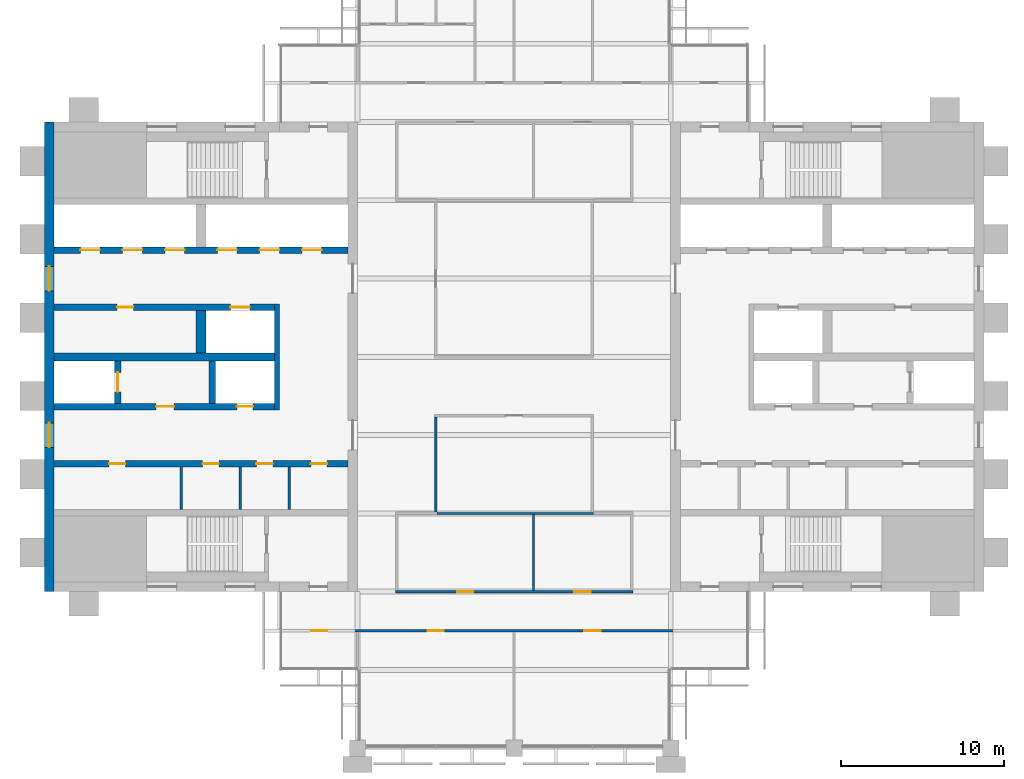
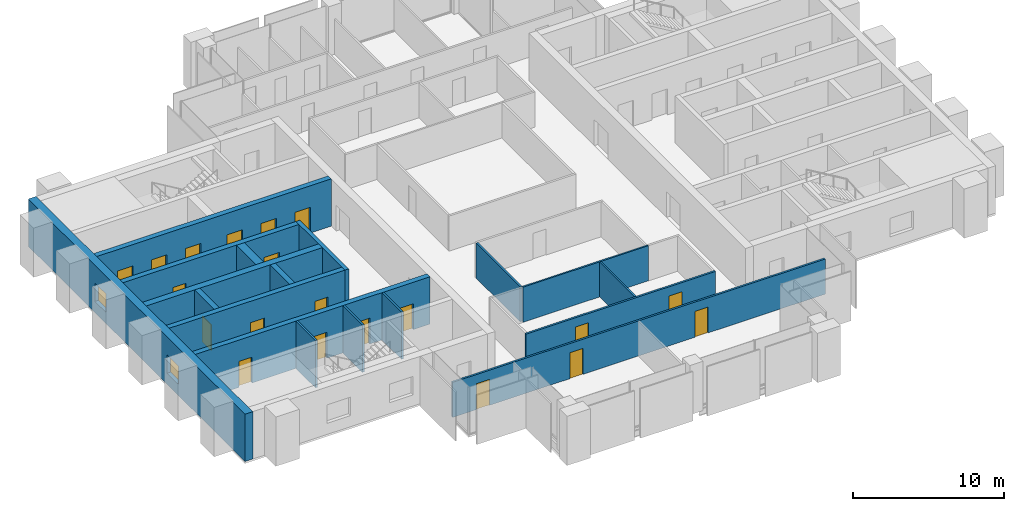
# One storey, part 8 of 13: 20 doors, 18 walls, 2 windows, 22 openings.
"""IFC4 building model written with IfcOpenShell, lengths in metres."""

from ifc_helpers import new_model, si_unit, direction, frame, frame_2d, origin, place, context, subcontext, project, spatial, rectangle, extrude, material, layer, layer_set, type_object, element, fill, save


model = new_model("IFC4")

# Units and contexts
model_context = context("Model", 3, precision=1e-05, world=origin(), true_north=direction((0.0, 1.0)))
body_context = subcontext(model_context, "Body", "Model", "MODEL_VIEW")
ifc_project = project(units=[si_unit("LENGTHUNIT", "METRE"), si_unit("AREAUNIT", "SQUARE_METRE"), si_unit("VOLUMEUNIT", "CUBIC_METRE"), si_unit("PLANEANGLEUNIT", "RADIAN"), si_unit("MASSUNIT", "GRAM", prefix="KILO")], contexts=[model_context])

# Site, building, storey
site_placement = place(None, origin())
site = spatial("IfcSite", under=ifc_project, at=site_placement, CompositionType="ELEMENT")
building_placement = place(site_placement, origin())
building = spatial("IfcBuilding", under=site, at=building_placement, Name="Baori Bourse Tower", CompositionType="ELEMENT")
storey_placement = place(building_placement, frame((0.0, 0.0, 346.300048828125)))
storey = spatial("IfcBuildingStorey", under=building, at=storey_placement, Name="L77", CompositionType="ELEMENT", Elevation=346.300048828125)

# Walls
ifc_material_1 = material(Name="Blockwork partition", Category="masonry")
ifc_layer_1 = layer(ifc_material_1, 0.14990234375)
ifc_layer_set_1 = layer_set([ifc_layer_1], Name="Core partition 150")
wall_type_1 = type_object("IfcWallType", Name="Core partition 150", PredefinedType="PARTITIONING", material=ifc_layer_set_1)
for number, where, z_axis, x_axis, name in (
    (1, (8.39990234375, 14.64990234375, 0.0), (0.0, 0.0, 1.0), (0.0, 1.0, 0.0), "Partition wall W09"),
    (2, (12.0, 14.64990234375, 0.0), (0.0, 0.0, 1.0), (0.0, 1.0, 0.0), "Partition wall W10"),
    (3, (15.0, 14.64990234375, 0.0), (0.0, 0.0, 1.0), (0.0, 1.0, 0.0), "Partition wall W11"),
):
    element("IfcWall", number, at=place(storey_placement, frame(where, z_axis=z_axis, x_axis=x_axis)), inside=storey, type_object=wall_type_1, Name=name, PredefinedType="PARTITIONING", context=body_context, shape_type="SweptSolid", body=[
        extrude(rectangle(XDim=2.60009765625, YDim=0.14990234375, at=frame_2d((1.300048828125, 0.0))), origin(), (0.0, 0.0, 1.0), 3.83984375),
    ])

# Wall, openings, windows
ifc_material_2 = material(Name="Concrete f'c 40 MPa", Category="concrete")
ifc_layer_2 = layer(ifc_material_2, 0.60009765625)
ifc_layer_set_2 = layer_set([ifc_layer_2], Name="Core wall 600 f'c 40")
wall_type_2 = type_object("IfcWallType", Name="Core wall 600 f'c 40", PredefinedType="SHEAR", material=ifc_layer_set_2)
wall_1_placement = place(storey_placement, frame((0.300048828125, 9.60009765625, 0.0), z_axis=(0.0, 0.0, 1.0), x_axis=(0.0, 1.0, 0.0)))
wall_1 = element("IfcWall", 4, at=wall_1_placement, inside=storey, type_object=wall_type_2, Name="Core wall W01", PredefinedType="SHEAR", context=body_context, shape_type="SweptSolid", body=[
    extrude(rectangle(XDim=28.7998046875, YDim=0.60009765625, at=frame_2d((14.39990234375, 0.0))), origin(), (0.0, 0.0, 1.0), 3.83984375),
])
opening_1_placement = place(wall_1_placement, frame((8.85009765625, 0.0, 0.89990234375)))
opening_1 = element("IfcOpeningElement", 5, at=opening_1_placement, cuts=wall_1, Name="Opening L77-KW101", PredefinedType="OPENING", context=body_context, shape_type="SweptSolid", body=[
    extrude(rectangle(XDim=1.5, YDim=1.5, at=frame_2d((0.75, 0.75))), frame((0.0, 0.31005859375, 0.0), z_axis=(0.0, -1.0, 0.0), x_axis=(1.0, 0.0, 0.0)), (0.0, 0.0, 1.0), 0.6201171875),
])
opening_2_placement = place(wall_1_placement, frame((18.449951171875, 0.0, 0.89990234375)))
opening_2 = element("IfcOpeningElement", 6, at=opening_2_placement, cuts=wall_1, Name="Opening L77-KW102", PredefinedType="OPENING", context=body_context, shape_type="SweptSolid", body=[
    extrude(rectangle(XDim=1.5, YDim=1.5, at=frame_2d((0.75, 0.75))), frame((0.0, 0.31005859375, 0.0), z_axis=(0.0, -1.0, 0.0), x_axis=(1.0, 0.0, 0.0)), (0.0, 0.0, 1.0), 0.6201171875),
])
ifc_material_3 = material(Name="Pale anodised aluminium", Category="aluminium")
window_type = type_object("IfcWindowType", Name="Lobby window 1500 x 1500", PartitioningType="SINGLE_PANEL", PredefinedType="WINDOW", material=ifc_material_3)
window_1_placement = place(opening_1_placement, origin())
window_1 = element("IfcWindow", 7, at=window_1_placement, inside=storey, type_object=window_type, Name="Outer wall window W L77 1", OverallHeight=1.5, OverallWidth=1.5, PartitioningType="SINGLE_PANEL", PredefinedType="WINDOW", context=body_context, shape_type="SweptSolid", body=[
    extrude(rectangle(XDim=1.5, YDim=1.5, at=frame_2d((0.75, 0.75))), frame((0.0, 0.030029296875, 0.0), z_axis=(0.0, -1.0, 0.0), x_axis=(1.0, 0.0, 0.0)), (0.0, 0.0, 1.0), 0.06005859375),
])
fill(opening_1, window_1)
window_2_placement = place(opening_2_placement, origin())
window_2 = element("IfcWindow", 8, at=window_2_placement, inside=storey, type_object=window_type, Name="Outer wall window W L77 2", OverallHeight=1.5, OverallWidth=1.5, PartitioningType="SINGLE_PANEL", PredefinedType="WINDOW", context=body_context, shape_type="SweptSolid", body=[
    extrude(rectangle(XDim=1.5, YDim=1.5, at=frame_2d((0.75, 0.75))), frame((0.0, 0.030029296875, 0.0), z_axis=(0.0, -1.0, 0.0), x_axis=(1.0, 0.0, 0.0)), (0.0, 0.0, 1.0), 0.06005859375),
])
fill(opening_2, window_2)

# Wall, openings, doors
ifc_material_4 = material(Name="Gypsum board partition")
ifc_layer_3 = layer(ifc_material_4, 0.14990234375)
ifc_layer_set_3 = layer_set([ifc_layer_3], Name="Corridor partition 150")
wall_type_3 = type_object("IfcWallType", Name="Corridor partition 150", PredefinedType="PARTITIONING", material=ifc_layer_set_3)
wall_2_placement = place(storey_placement, frame((14.5, 7.199951171875, 0.0), z_axis=(0.0, 0.0, 1.0), x_axis=(1.0, 0.0, 0.0)))
wall_2 = element("IfcWall", 9, at=wall_2_placement, inside=storey, type_object=wall_type_3, Name="Partition", PredefinedType="PARTITIONING", context=body_context, shape_type="SweptSolid", body=[
    extrude(rectangle(XDim=28.60009765625, YDim=0.14990234375, at=frame_2d((14.300048828125, 0.0))), origin(), (0.0, 0.0, 1.0), 2.849365234375),
])
opening_3_placement = place(wall_2_placement, frame((1.85009765625, 0.0, 0.0)))
opening_3 = element("IfcOpeningElement", 10, at=opening_3_placement, cuts=wall_2, Name="Opening L77-D01", PredefinedType="OPENING", context=body_context, shape_type="SweptSolid", body=[
    extrude(rectangle(XDim=1.0, YDim=2.10009765625, at=frame_2d((0.5, 1.050048828125))), frame((0.0, 0.0849609375, 0.0), z_axis=(0.0, -1.0, 0.0), x_axis=(1.0, 0.0, 0.0)), (0.0, 0.0, 1.0), 0.169921875),
])
opening_4_placement = place(wall_2_placement, frame((9.0, 0.0, 0.0)))
opening_4 = element("IfcOpeningElement", 11, at=opening_4_placement, cuts=wall_2, Name="Opening L77-D02", PredefinedType="OPENING", context=body_context, shape_type="SweptSolid", body=[
    extrude(rectangle(XDim=1.0, YDim=2.10009765625, at=frame_2d((0.5, 1.050048828125))), frame((0.0, 0.0849609375, 0.0), z_axis=(0.0, -1.0, 0.0), x_axis=(1.0, 0.0, 0.0)), (0.0, 0.0, 1.0), 0.169921875),
])
opening_5_placement = place(wall_2_placement, frame((18.60009765625, 0.0, 0.0)))
opening_5 = element("IfcOpeningElement", 12, at=opening_5_placement, cuts=wall_2, Name="Opening L77-D03", PredefinedType="OPENING", context=body_context, shape_type="SweptSolid", body=[
    extrude(rectangle(XDim=1.0, YDim=2.10009765625, at=frame_2d((0.5, 1.050048828125))), frame((0.0, 0.0849609375, 0.0), z_axis=(0.0, -1.0, 0.0), x_axis=(1.0, 0.0, 0.0)), (0.0, 0.0, 1.0), 0.169921875),
])
ifc_material_5 = material(Name="Timber door leaf", Category="wood")
door_type_1 = type_object("IfcDoorType", Name="Door 1000 x 2100", OperationType="SINGLE_SWING_LEFT", PredefinedType="DOOR", material=ifc_material_5)
door_1_placement = place(opening_3_placement, origin())
door_1 = element("IfcDoor", 13, at=door_1_placement, inside=storey, type_object=door_type_1, Name="Door", OperationType="SINGLE_SWING_LEFT", OverallHeight=2.10009765625, OverallWidth=1.0, PredefinedType="DOOR", context=body_context, shape_type="SweptSolid", body=[
    extrude(rectangle(XDim=1.0, YDim=2.10009765625, at=frame_2d((0.5, 1.050048828125))), frame((0.0, 0.02490234375, 0.0), z_axis=(0.0, -1.0, 0.0), x_axis=(1.0, 0.0, 0.0)), (0.0, 0.0, 1.0), 0.050048828125),
])
fill(opening_3, door_1)
door_2_placement = place(opening_4_placement, origin())
door_2 = element("IfcDoor", 14, at=door_2_placement, inside=storey, type_object=door_type_1, Name="Door", OperationType="SINGLE_SWING_LEFT", OverallHeight=2.10009765625, OverallWidth=1.0, PredefinedType="DOOR", context=body_context, shape_type="SweptSolid", body=[
    extrude(rectangle(XDim=1.0, YDim=2.10009765625, at=frame_2d((0.5, 1.050048828125))), frame((0.0, 0.02490234375, 0.0), z_axis=(0.0, -1.0, 0.0), x_axis=(1.0, 0.0, 0.0)), (0.0, 0.0, 1.0), 0.050048828125),
])
fill(opening_4, door_2)
door_3_placement = place(opening_5_placement, origin())
door_3 = element("IfcDoor", 15, at=door_3_placement, inside=storey, type_object=door_type_1, Name="Door", OperationType="SINGLE_SWING_RIGHT", OverallHeight=2.10009765625, OverallWidth=1.0, PredefinedType="DOOR", context=body_context, shape_type="SweptSolid", body=[
    extrude(rectangle(XDim=1.0, YDim=2.10009765625, at=frame_2d((0.5, 1.050048828125))), frame((0.0, 0.02490234375, 0.0), z_axis=(0.0, -1.0, 0.0), x_axis=(1.0, 0.0, 0.0)), (0.0, 0.0, 1.0), 0.050048828125),
])
fill(opening_5, door_3)

wall_3_placement = place(storey_placement, frame((21.52490234375, 9.60009765625, 0.0), z_axis=(0.0, 0.0, 1.0), x_axis=(1.0, 0.0, 0.0)))
wall_3 = element("IfcWall", 16, at=wall_3_placement, inside=storey, type_object=wall_type_3, Name="Partition", PredefinedType="PARTITIONING", context=body_context, shape_type="SweptSolid", body=[
    extrude(rectangle(XDim=14.550048828125, YDim=0.14990234375, at=frame_2d((7.27490234375, 0.0))), origin(), (0.0, 0.0, 1.0), 2.849365234375),
])
opening_6_placement = place(wall_3_placement, frame((3.77490234375, 0.0, 0.0)))
opening_6 = element("IfcOpeningElement", 17, at=opening_6_placement, cuts=wall_3, Name="Opening L77-D04", PredefinedType="OPENING", context=body_context, shape_type="SweptSolid", body=[
    extrude(rectangle(XDim=1.0, YDim=2.10009765625, at=frame_2d((0.5, 1.050048828125))), frame((0.0, 0.0849609375, 0.0), z_axis=(0.0, -1.0, 0.0), x_axis=(1.0, 0.0, 0.0)), (0.0, 0.0, 1.0), 0.169921875),
])
opening_7_placement = place(wall_3_placement, frame((10.97509765625, 0.0, 0.0)))
opening_7 = element("IfcOpeningElement", 18, at=opening_7_placement, cuts=wall_3, Name="Opening L77-D05", PredefinedType="OPENING", context=body_context, shape_type="SweptSolid", body=[
    extrude(rectangle(XDim=1.0, YDim=2.10009765625, at=frame_2d((0.5, 1.050048828125))), frame((0.0, 0.0849609375, 0.0), z_axis=(0.0, -1.0, 0.0), x_axis=(1.0, 0.0, 0.0)), (0.0, 0.0, 1.0), 0.169921875),
])
door_4_placement = place(opening_6_placement, origin())
door_4 = element("IfcDoor", 19, at=door_4_placement, inside=storey, type_object=door_type_1, Name="Door", OperationType="SINGLE_SWING_RIGHT", OverallHeight=2.10009765625, OverallWidth=1.0, PredefinedType="DOOR", context=body_context, shape_type="SweptSolid", body=[
    extrude(rectangle(XDim=1.0, YDim=2.10009765625, at=frame_2d((0.5, 1.050048828125))), frame((0.0, 0.02490234375, 0.0), z_axis=(0.0, -1.0, 0.0), x_axis=(1.0, 0.0, 0.0)), (0.0, 0.0, 1.0), 0.050048828125),
])
fill(opening_6, door_4)
door_5_placement = place(opening_7_placement, origin())
door_5 = element("IfcDoor", 20, at=door_5_placement, inside=storey, type_object=door_type_1, Name="Door", OperationType="SINGLE_SWING_LEFT", OverallHeight=2.10009765625, OverallWidth=1.0, PredefinedType="DOOR", context=body_context, shape_type="SweptSolid", body=[
    extrude(rectangle(XDim=1.0, YDim=2.10009765625, at=frame_2d((0.5, 1.050048828125))), frame((0.0, 0.02490234375, 0.0), z_axis=(0.0, -1.0, 0.0), x_axis=(1.0, 0.0, 0.0)), (0.0, 0.0, 1.0), 0.050048828125),
])
fill(opening_7, door_5)

# Walls
wall_4_placement = place(storey_placement, frame((24.0, 14.47509765625, 0.0), z_axis=(0.0, 0.0, 1.0), x_axis=(0.0, 1.0, 0.0)))
element("IfcWall", 21, at=wall_4_placement, inside=storey, type_object=wall_type_3, Name="Partition", PredefinedType="PARTITIONING", context=body_context, shape_type="SweptSolid", body=[
    extrude(rectangle(XDim=5.849853515625, YDim=0.14990234375, at=frame_2d((2.9248046875, 0.0))), origin(), (0.0, 0.0, 1.0), 2.849365234375),
])
ifc_material_6 = material(Name="Gypsum board partition")
ifc_layer_4 = layer(ifc_material_6, 0.125)
ifc_layer_set_4 = layer_set([ifc_layer_4], Name="Partition 125")
wall_type_4 = type_object("IfcWallType", Name="Partition 125", PredefinedType="PARTITIONING", material=ifc_layer_set_4)
wall_5_placement = place(storey_placement, frame((24.074951171875, 14.39990234375, 0.0), z_axis=(0.0, 0.0, 1.0), x_axis=(1.0, 0.0, 0.0)))
element("IfcWall", 22, at=wall_5_placement, inside=storey, type_object=wall_type_4, Name="Partition", PredefinedType="PARTITIONING", context=body_context, shape_type="SweptSolid", body=[
    extrude(rectangle(XDim=9.60009765625, YDim=0.125, at=frame_2d((4.800048828125, 0.0))), origin(), (0.0, 0.0, 1.0), 2.849365234375),
])
wall_6_placement = place(storey_placement, frame((30.0, 9.675048828125, 0.0), z_axis=(0.0, 0.0, 1.0), x_axis=(0.0, 1.0, 0.0)))
element("IfcWall", 23, at=wall_6_placement, inside=storey, type_object=wall_type_4, Name="Partition", PredefinedType="PARTITIONING", context=body_context, shape_type="SweptSolid", body=[
    extrude(rectangle(XDim=4.662353515625, YDim=0.125, at=frame_2d((2.3310546875, 0.0))), origin(), (0.0, 0.0, 1.0), 2.849365234375),
])
ifc_material_7 = material(Name="Concrete f'c 40 MPa", Category="concrete")
ifc_layer_5 = layer(ifc_material_7, 0.300048828125)
ifc_layer_set_5 = layer_set([ifc_layer_5], Name="Shaft wall 300 f'c 40")
wall_type_5 = type_object("IfcWallType", Name="Shaft wall 300 f'c 40", PredefinedType="SHEAR", material=ifc_layer_set_5)
wall_7_placement = place(storey_placement, frame((14.25, 20.75, 0.0), z_axis=(0.0, 0.0, 1.0), x_axis=(0.0, 1.0, 0.0)))
element("IfcWall", 24, at=wall_7_placement, inside=storey, type_object=wall_type_5, Name="Core wall W14", PredefinedType="SHEAR", context=body_context, shape_type="SweptSolid", body=[
    extrude(rectangle(XDim=6.5, YDim=0.300048828125, at=frame_2d((3.25, 0.0))), origin(), (0.0, 0.0, 1.0), 3.83984375),
])

# Wall, openings, doors
ifc_material_8 = material(Name="Concrete f'c 40 MPa", Category="concrete")
ifc_layer_6 = layer(ifc_material_8, 0.39990234375)
ifc_layer_set_6 = layer_set([ifc_layer_6], Name="Shaft wall 400 f'c 40")
wall_type_6 = type_object("IfcWallType", Name="Shaft wall 400 f'c 40", PredefinedType="SHEAR", material=ifc_layer_set_6)
wall_8_placement = place(storey_placement, frame((0.60009765625, 17.449951171875, 0.0), z_axis=(0.0, 0.0, 1.0), x_axis=(1.0, 0.0, 0.0)))
wall_8 = element("IfcWall", 25, at=wall_8_placement, inside=storey, type_object=wall_type_6, Name="Core wall W12", PredefinedType="SHEAR", context=body_context, shape_type="SweptSolid", body=[
    extrude(rectangle(XDim=18.0, YDim=0.39990234375, at=frame_2d((9.0, 0.0))), origin(), (0.0, 0.0, 1.0), 3.83984375),
])
opening_8_placement = place(wall_8_placement, frame((3.362548828125, 0.0, 0.0)))
opening_8 = element("IfcOpeningElement", 26, at=opening_8_placement, cuts=wall_8, Name="Opening L77-D109", PredefinedType="OPENING", context=body_context, shape_type="SweptSolid", body=[
    extrude(rectangle(XDim=1.0, YDim=2.10009765625, at=frame_2d((0.5, 1.050048828125))), frame((0.0, 0.2099609375, 0.0), z_axis=(0.0, -1.0, 0.0), x_axis=(1.0, 0.0, 0.0)), (0.0, 0.0, 1.0), 0.419921875),
])
opening_9_placement = place(wall_8_placement, frame((9.10009765625, 0.0, 0.0)))
opening_9 = element("IfcOpeningElement", 27, at=opening_9_placement, cuts=wall_8, Name="Opening L77-D110", PredefinedType="OPENING", context=body_context, shape_type="SweptSolid", body=[
    extrude(rectangle(XDim=1.0, YDim=2.10009765625, at=frame_2d((0.5, 1.050048828125))), frame((0.0, 0.2099609375, 0.0), z_axis=(0.0, -1.0, 0.0), x_axis=(1.0, 0.0, 0.0)), (0.0, 0.0, 1.0), 0.419921875),
])
opening_10_placement = place(wall_8_placement, frame((12.39990234375, 0.0, 0.0)))
opening_10 = element("IfcOpeningElement", 28, at=opening_10_placement, cuts=wall_8, Name="Opening L77-D111", PredefinedType="OPENING", context=body_context, shape_type="SweptSolid", body=[
    extrude(rectangle(XDim=1.0, YDim=2.10009765625, at=frame_2d((0.5, 1.050048828125))), frame((0.0, 0.2099609375, 0.0), z_axis=(0.0, -1.0, 0.0), x_axis=(1.0, 0.0, 0.0)), (0.0, 0.0, 1.0), 0.419921875),
])
opening_11_placement = place(wall_8_placement, frame((15.737548828125, 0.0, 0.0)))
opening_11 = element("IfcOpeningElement", 29, at=opening_11_placement, cuts=wall_8, Name="Opening L77-D112", PredefinedType="OPENING", context=body_context, shape_type="SweptSolid", body=[
    extrude(rectangle(XDim=1.0, YDim=2.10009765625, at=frame_2d((0.5, 1.050048828125))), frame((0.0, 0.2099609375, 0.0), z_axis=(0.0, -1.0, 0.0), x_axis=(1.0, 0.0, 0.0)), (0.0, 0.0, 1.0), 0.419921875),
])
ifc_material_9 = material(Name="Painted steel door", Category="steel")
door_type_2 = type_object("IfcDoorType", Name="Core door 1000", OperationType="SINGLE_SWING_LEFT", PredefinedType="DOOR", material=ifc_material_9)
door_6_placement = place(opening_8_placement, origin())
door_6 = element("IfcDoor", 30, at=door_6_placement, inside=storey, type_object=door_type_2, Name="Men'S Wc door W L77", OperationType="SINGLE_SWING_LEFT", OverallHeight=2.10009765625, OverallWidth=1.0, PredefinedType="DOOR", context=body_context, shape_type="SweptSolid", body=[
    extrude(rectangle(XDim=1.0, YDim=2.10009765625, at=frame_2d((0.5, 1.050048828125))), frame((0.0, 0.02490234375, 0.0), z_axis=(0.0, -1.0, 0.0), x_axis=(1.0, 0.0, 0.0)), (0.0, 0.0, 1.0), 0.050048828125),
])
fill(opening_8, door_6)
door_7_placement = place(opening_9_placement, origin())
door_7 = element("IfcDoor", 31, at=door_7_placement, inside=storey, type_object=door_type_2, Name="Women'S Wc door W L77", OperationType="SINGLE_SWING_LEFT", OverallHeight=2.10009765625, OverallWidth=1.0, PredefinedType="DOOR", context=body_context, shape_type="SweptSolid", body=[
    extrude(rectangle(XDim=1.0, YDim=2.10009765625, at=frame_2d((0.5, 1.050048828125))), frame((0.0, 0.02490234375, 0.0), z_axis=(0.0, -1.0, 0.0), x_axis=(1.0, 0.0, 0.0)), (0.0, 0.0, 1.0), 0.050048828125),
])
fill(opening_9, door_7)
door_8_placement = place(opening_10_placement, origin())
door_8 = element("IfcDoor", 32, at=door_8_placement, inside=storey, type_object=door_type_2, Name="Accessible Wc door W L77", OperationType="SINGLE_SWING_LEFT", OverallHeight=2.10009765625, OverallWidth=1.0, PredefinedType="DOOR", context=body_context, shape_type="SweptSolid", body=[
    extrude(rectangle(XDim=1.0, YDim=2.10009765625, at=frame_2d((0.5, 1.050048828125))), frame((0.0, 0.02490234375, 0.0), z_axis=(0.0, -1.0, 0.0), x_axis=(1.0, 0.0, 0.0)), (0.0, 0.0, 1.0), 0.050048828125),
])
fill(opening_10, door_8)
door_9_placement = place(opening_11_placement, origin())
door_9 = element("IfcDoor", 33, at=door_9_placement, inside=storey, type_object=door_type_2, Name="Pantry door W L77", OperationType="SINGLE_SWING_LEFT", OverallHeight=2.10009765625, OverallWidth=1.0, PredefinedType="DOOR", context=body_context, shape_type="SweptSolid", body=[
    extrude(rectangle(XDim=1.0, YDim=2.10009765625, at=frame_2d((0.5, 1.050048828125))), frame((0.0, 0.02490234375, 0.0), z_axis=(0.0, -1.0, 0.0), x_axis=(1.0, 0.0, 0.0)), (0.0, 0.0, 1.0), 0.050048828125),
])
fill(opening_11, door_9)

wall_9_placement = place(storey_placement, frame((0.60009765625, 20.949951171875, 0.0), z_axis=(0.0, 0.0, 1.0), x_axis=(1.0, 0.0, 0.0)))
wall_9 = element("IfcWall", 34, at=wall_9_placement, inside=storey, type_object=wall_type_6, Name="Core wall W13", PredefinedType="SHEAR", context=body_context, shape_type="SweptSolid", body=[
    extrude(rectangle(XDim=13.5, YDim=0.39990234375, at=frame_2d((6.75, 0.0))), origin(), (0.0, 0.0, 1.0), 3.83984375),
])
opening_12_placement = place(wall_9_placement, frame((6.25, 0.0, 0.0)))
opening_12 = element("IfcOpeningElement", 35, at=opening_12_placement, cuts=wall_9, Name="Opening L77-D105", PredefinedType="OPENING", context=body_context, shape_type="SweptSolid", body=[
    extrude(rectangle(XDim=1.10009765625, YDim=2.10009765625, at=frame_2d((0.550048828125, 1.050048828125))), frame((0.0, 0.2099609375, 0.0), z_axis=(0.0, -1.0, 0.0), x_axis=(1.0, 0.0, 0.0)), (0.0, 0.0, 1.0), 0.419921875),
])
opening_13_placement = place(wall_9_placement, frame((11.199951171875, 0.0, 0.0)))
opening_13 = element("IfcOpeningElement", 36, at=opening_13_placement, cuts=wall_9, Name="Opening L77-D106", PredefinedType="OPENING", context=body_context, shape_type="SweptSolid", body=[
    extrude(rectangle(XDim=1.0, YDim=2.10009765625, at=frame_2d((0.5, 1.050048828125))), frame((0.0, 0.2099609375, 0.0), z_axis=(0.0, -1.0, 0.0), x_axis=(1.0, 0.0, 0.0)), (0.0, 0.0, 1.0), 0.419921875),
])
ifc_material_10 = material(Name="Painted steel door", Category="steel")
door_type_3 = type_object("IfcDoorType", Name="Lobby door 1100", OperationType="SINGLE_SWING_LEFT", PredefinedType="DOOR", material=ifc_material_10)
door_10_placement = place(opening_12_placement, origin())
door_10 = element("IfcDoor", 37, at=door_10_placement, inside=storey, type_object=door_type_3, Name="Firefighting lobby door W L77", OperationType="SINGLE_SWING_LEFT", OverallHeight=2.10009765625, OverallWidth=1.10009765625, PredefinedType="DOOR", context=body_context, shape_type="SweptSolid", body=[
    extrude(rectangle(XDim=1.10009765625, YDim=2.10009765625, at=frame_2d((0.550048828125, 1.050048828125))), frame((0.0, 0.02490234375, 0.0), z_axis=(0.0, -1.0, 0.0), x_axis=(1.0, 0.0, 0.0)), (0.0, 0.0, 1.0), 0.050048828125),
])
fill(opening_12, door_10)
ifc_material_11 = material(Name="Painted steel door", Category="steel")
door_type_4 = type_object("IfcDoorType", Name="Shaft door 1000", OperationType="SINGLE_SWING_LEFT", PredefinedType="DOOR", material=ifc_material_11)
door_11_placement = place(opening_13_placement, origin())
door_11 = element("IfcDoor", 38, at=door_11_placement, inside=storey, type_object=door_type_4, Name="Riser room door W L77", OperationType="SINGLE_SWING_LEFT", OverallHeight=2.10009765625, OverallWidth=1.0, PredefinedType="DOOR", context=body_context, shape_type="SweptSolid", body=[
    extrude(rectangle(XDim=1.0, YDim=2.10009765625, at=frame_2d((0.5, 1.050048828125))), frame((0.0, 0.02490234375, 0.0), z_axis=(0.0, -1.0, 0.0), x_axis=(1.0, 0.0, 0.0)), (0.0, 0.0, 1.0), 0.050048828125),
])
fill(opening_13, door_11)

# Wall, opening, door
wall_10_placement = place(storey_placement, frame((4.5, 21.14990234375, 0.0), z_axis=(0.0, 0.0, 1.0), x_axis=(0.0, 1.0, 0.0)))
wall_10 = element("IfcWall", 39, at=wall_10_placement, inside=storey, type_object=wall_type_6, Name="Core wall W15", PredefinedType="SHEAR", context=body_context, shape_type="SweptSolid", body=[
    extrude(rectangle(XDim=2.60009765625, YDim=0.39990234375, at=frame_2d((1.300048828125, 0.0))), origin(), (0.0, 0.0, 1.0), 3.83984375),
])
opening_14_placement = place(wall_10_placement, frame((0.699951171875, 0.0, 0.0)))
opening_14 = element("IfcOpeningElement", 40, at=opening_14_placement, cuts=wall_10, Name="Opening L77-D121", PredefinedType="OPENING", context=body_context, shape_type="SweptSolid", body=[
    extrude(rectangle(XDim=1.199951171875, YDim=2.10009765625, at=frame_2d((0.60009765625, 1.050048828125))), frame((0.0, 0.2099609375, 0.0), z_axis=(0.0, -1.0, 0.0), x_axis=(1.0, 0.0, 0.0)), (0.0, 0.0, 1.0), 0.419921875),
])
ifc_material_12 = material(Name="Stainless steel door", Category="steel")
door_type_5 = type_object("IfcDoorType", Name="Lift landing door", OperationType="DOUBLE_DOOR_SLIDING", PredefinedType="DOOR", material=ifc_material_12)
door_12_placement = place(opening_14_placement, origin())
door_12 = element("IfcDoor", 41, at=door_12_placement, inside=storey, type_object=door_type_5, Name="Lift landing door FF1 W L77", OperationType="DOUBLE_DOOR_SLIDING", OverallHeight=2.10009765625, OverallWidth=1.199951171875, PredefinedType="DOOR", context=body_context, shape_type="SweptSolid", body=[
    extrude(rectangle(XDim=1.199951171875, YDim=2.10009765625, at=frame_2d((0.60009765625, 1.050048828125))), frame((0.0, 0.02490234375, 0.0), z_axis=(0.0, -1.0, 0.0), x_axis=(1.0, 0.0, 0.0)), (0.0, 0.0, 1.0), 0.050048828125),
])
fill(opening_14, door_12)

# Wall
wall_11_placement = place(storey_placement, frame((10.300048828125, 21.14990234375, 0.0), z_axis=(0.0, 0.0, 1.0), x_axis=(0.0, 1.0, 0.0)))
element("IfcWall", 42, at=wall_11_placement, inside=storey, type_object=wall_type_6, Name="Core wall W16", PredefinedType="SHEAR", context=body_context, shape_type="SweptSolid", body=[
    extrude(rectangle(XDim=2.60009765625, YDim=0.39990234375, at=frame_2d((1.300048828125, 0.0))), origin(), (0.0, 0.0, 1.0), 3.83984375),
])

# Wall, openings, doors
wall_12_placement = place(storey_placement, frame((0.60009765625, 27.050048828125, 0.0), z_axis=(0.0, 0.0, 1.0), x_axis=(1.0, 0.0, 0.0)))
wall_12 = element("IfcWall", 43, at=wall_12_placement, inside=storey, type_object=wall_type_6, Name="Core wall W19", PredefinedType="SHEAR", context=body_context, shape_type="SweptSolid", body=[
    extrude(rectangle(XDim=13.5, YDim=0.39990234375, at=frame_2d((6.75, 0.0))), origin(), (0.0, 0.0, 1.0), 3.83984375),
])
opening_15_placement = place(wall_12_placement, frame((3.85009765625, 0.0, 0.0)))
opening_15 = element("IfcOpeningElement", 44, at=opening_15_placement, cuts=wall_12, Name="Opening L77-D113", PredefinedType="OPENING", context=body_context, shape_type="SweptSolid", body=[
    extrude(rectangle(XDim=1.0, YDim=2.10009765625, at=frame_2d((0.5, 1.050048828125))), frame((0.0, 0.2099609375, 0.0), z_axis=(0.0, -1.0, 0.0), x_axis=(1.0, 0.0, 0.0)), (0.0, 0.0, 1.0), 0.419921875),
])
opening_16_placement = place(wall_12_placement, frame((10.800048828125, 0.0, 0.0)))
opening_16 = element("IfcOpeningElement", 45, at=opening_16_placement, cuts=wall_12, Name="Opening L77-D120", PredefinedType="OPENING", context=body_context, shape_type="SweptSolid", body=[
    extrude(rectangle(XDim=1.199951171875, YDim=2.10009765625, at=frame_2d((0.60009765625, 1.050048828125))), frame((0.0, 0.2099609375, 0.0), z_axis=(0.0, -1.0, 0.0), x_axis=(1.0, 0.0, 0.0)), (0.0, 0.0, 1.0), 0.419921875),
])
door_13_placement = place(opening_15_placement, origin())
door_13 = element("IfcDoor", 46, at=door_13_placement, inside=storey, type_object=door_type_2, Name="Copy Room door W L77", OperationType="SINGLE_SWING_LEFT", OverallHeight=2.10009765625, OverallWidth=1.0, PredefinedType="DOOR", context=body_context, shape_type="SweptSolid", body=[
    extrude(rectangle(XDim=1.0, YDim=2.10009765625, at=frame_2d((0.5, 1.050048828125))), frame((0.0, 0.02490234375, 0.0), z_axis=(0.0, -1.0, 0.0), x_axis=(1.0, 0.0, 0.0)), (0.0, 0.0, 1.0), 0.050048828125),
])
fill(opening_15, door_13)
door_14_placement = place(opening_16_placement, origin())
door_14 = element("IfcDoor", 47, at=door_14_placement, inside=storey, type_object=door_type_5, Name="Lift landing door SV1 W L77", OperationType="DOUBLE_DOOR_SLIDING", OverallHeight=2.10009765625, OverallWidth=1.199951171875, PredefinedType="DOOR", context=body_context, shape_type="SweptSolid", body=[
    extrude(rectangle(XDim=1.199951171875, YDim=2.10009765625, at=frame_2d((0.60009765625, 1.050048828125))), frame((0.0, 0.02490234375, 0.0), z_axis=(0.0, -1.0, 0.0), x_axis=(1.0, 0.0, 0.0)), (0.0, 0.0, 1.0), 0.050048828125),
])
fill(opening_16, door_14)

wall_13_placement = place(storey_placement, frame((0.60009765625, 30.550048828125, 0.0), z_axis=(0.0, 0.0, 1.0), x_axis=(1.0, 0.0, 0.0)))
wall_13 = element("IfcWall", 48, at=wall_13_placement, inside=storey, type_object=wall_type_6, Name="Core wall W20", PredefinedType="SHEAR", context=body_context, shape_type="SweptSolid", body=[
    extrude(rectangle(XDim=18.0, YDim=0.39990234375, at=frame_2d((9.0, 0.0))), origin(), (0.0, 0.0, 1.0), 3.83984375),
])
opening_17_placement = place(wall_13_placement, frame((1.60009765625, 0.0, 0.0)))
opening_17 = element("IfcOpeningElement", 49, at=opening_17_placement, cuts=wall_13, Name="Opening L77-D114", PredefinedType="OPENING", context=body_context, shape_type="SweptSolid", body=[
    extrude(rectangle(XDim=1.199951171875, YDim=2.10009765625, at=frame_2d((0.60009765625, 1.050048828125))), frame((0.0, 0.2099609375, 0.0), z_axis=(0.0, -1.0, 0.0), x_axis=(1.0, 0.0, 0.0)), (0.0, 0.0, 1.0), 0.419921875),
])
opening_18_placement = place(wall_13_placement, frame((4.199951171875, 0.0, 0.0)))
opening_18 = element("IfcOpeningElement", 50, at=opening_18_placement, cuts=wall_13, Name="Opening L77-D115", PredefinedType="OPENING", context=body_context, shape_type="SweptSolid", body=[
    extrude(rectangle(XDim=1.199951171875, YDim=2.10009765625, at=frame_2d((0.60009765625, 1.050048828125))), frame((0.0, 0.2099609375, 0.0), z_axis=(0.0, -1.0, 0.0), x_axis=(1.0, 0.0, 0.0)), (0.0, 0.0, 1.0), 0.419921875),
])
opening_19_placement = place(wall_13_placement, frame((6.800048828125, 0.0, 0.0)))
opening_19 = element("IfcOpeningElement", 51, at=opening_19_placement, cuts=wall_13, Name="Opening L77-D116", PredefinedType="OPENING", context=body_context, shape_type="SweptSolid", body=[
    extrude(rectangle(XDim=1.199951171875, YDim=2.10009765625, at=frame_2d((0.60009765625, 1.050048828125))), frame((0.0, 0.2099609375, 0.0), z_axis=(0.0, -1.0, 0.0), x_axis=(1.0, 0.0, 0.0)), (0.0, 0.0, 1.0), 0.419921875),
])
opening_20_placement = place(wall_13_placement, frame((10.0, 0.0, 0.0)))
opening_20 = element("IfcOpeningElement", 52, at=opening_20_placement, cuts=wall_13, Name="Opening L77-D117", PredefinedType="OPENING", context=body_context, shape_type="SweptSolid", body=[
    extrude(rectangle(XDim=1.199951171875, YDim=2.10009765625, at=frame_2d((0.60009765625, 1.050048828125))), frame((0.0, 0.2099609375, 0.0), z_axis=(0.0, -1.0, 0.0), x_axis=(1.0, 0.0, 0.0)), (0.0, 0.0, 1.0), 0.419921875),
])
opening_21_placement = place(wall_13_placement, frame((12.60009765625, 0.0, 0.0)))
opening_21 = element("IfcOpeningElement", 53, at=opening_21_placement, cuts=wall_13, Name="Opening L77-D118", PredefinedType="OPENING", context=body_context, shape_type="SweptSolid", body=[
    extrude(rectangle(XDim=1.199951171875, YDim=2.10009765625, at=frame_2d((0.60009765625, 1.050048828125))), frame((0.0, 0.2099609375, 0.0), z_axis=(0.0, -1.0, 0.0), x_axis=(1.0, 0.0, 0.0)), (0.0, 0.0, 1.0), 0.419921875),
])
opening_22_placement = place(wall_13_placement, frame((15.199951171875, 0.0, 0.0)))
opening_22 = element("IfcOpeningElement", 54, at=opening_22_placement, cuts=wall_13, Name="Opening L77-D119", PredefinedType="OPENING", context=body_context, shape_type="SweptSolid", body=[
    extrude(rectangle(XDim=1.199951171875, YDim=2.10009765625, at=frame_2d((0.60009765625, 1.050048828125))), frame((0.0, 0.2099609375, 0.0), z_axis=(0.0, -1.0, 0.0), x_axis=(1.0, 0.0, 0.0)), (0.0, 0.0, 1.0), 0.419921875),
])
door_15_placement = place(opening_17_placement, origin())
door_15 = element("IfcDoor", 55, at=door_15_placement, inside=storey, type_object=door_type_5, Name="Lift landing door HR1 W L77", OperationType="DOUBLE_DOOR_SLIDING", OverallHeight=2.10009765625, OverallWidth=1.199951171875, PredefinedType="DOOR", context=body_context, shape_type="SweptSolid", body=[
    extrude(rectangle(XDim=1.199951171875, YDim=2.10009765625, at=frame_2d((0.60009765625, 1.050048828125))), frame((0.0, 0.02490234375, 0.0), z_axis=(0.0, -1.0, 0.0), x_axis=(1.0, 0.0, 0.0)), (0.0, 0.0, 1.0), 0.050048828125),
])
fill(opening_17, door_15)
door_16_placement = place(opening_18_placement, origin())
door_16 = element("IfcDoor", 56, at=door_16_placement, inside=storey, type_object=door_type_5, Name="Lift landing door HR2 W L77", OperationType="DOUBLE_DOOR_SLIDING", OverallHeight=2.10009765625, OverallWidth=1.199951171875, PredefinedType="DOOR", context=body_context, shape_type="SweptSolid", body=[
    extrude(rectangle(XDim=1.199951171875, YDim=2.10009765625, at=frame_2d((0.60009765625, 1.050048828125))), frame((0.0, 0.02490234375, 0.0), z_axis=(0.0, -1.0, 0.0), x_axis=(1.0, 0.0, 0.0)), (0.0, 0.0, 1.0), 0.050048828125),
])
fill(opening_18, door_16)
door_17_placement = place(opening_19_placement, origin())
door_17 = element("IfcDoor", 57, at=door_17_placement, inside=storey, type_object=door_type_5, Name="Lift landing door HR3 W L77", OperationType="DOUBLE_DOOR_SLIDING", OverallHeight=2.10009765625, OverallWidth=1.199951171875, PredefinedType="DOOR", context=body_context, shape_type="SweptSolid", body=[
    extrude(rectangle(XDim=1.199951171875, YDim=2.10009765625, at=frame_2d((0.60009765625, 1.050048828125))), frame((0.0, 0.02490234375, 0.0), z_axis=(0.0, -1.0, 0.0), x_axis=(1.0, 0.0, 0.0)), (0.0, 0.0, 1.0), 0.050048828125),
])
fill(opening_19, door_17)
door_18_placement = place(opening_20_placement, origin())
door_18 = element("IfcDoor", 58, at=door_18_placement, inside=storey, type_object=door_type_5, Name="Lift landing door HR4 W L77", OperationType="DOUBLE_DOOR_SLIDING", OverallHeight=2.10009765625, OverallWidth=1.199951171875, PredefinedType="DOOR", context=body_context, shape_type="SweptSolid", body=[
    extrude(rectangle(XDim=1.199951171875, YDim=2.10009765625, at=frame_2d((0.60009765625, 1.050048828125))), frame((0.0, 0.02490234375, 0.0), z_axis=(0.0, -1.0, 0.0), x_axis=(1.0, 0.0, 0.0)), (0.0, 0.0, 1.0), 0.050048828125),
])
fill(opening_20, door_18)
door_19_placement = place(opening_21_placement, origin())
door_19 = element("IfcDoor", 59, at=door_19_placement, inside=storey, type_object=door_type_5, Name="Lift landing door HR5 W L77", OperationType="DOUBLE_DOOR_SLIDING", OverallHeight=2.10009765625, OverallWidth=1.199951171875, PredefinedType="DOOR", context=body_context, shape_type="SweptSolid", body=[
    extrude(rectangle(XDim=1.199951171875, YDim=2.10009765625, at=frame_2d((0.60009765625, 1.050048828125))), frame((0.0, 0.02490234375, 0.0), z_axis=(0.0, -1.0, 0.0), x_axis=(1.0, 0.0, 0.0)), (0.0, 0.0, 1.0), 0.050048828125),
])
fill(opening_21, door_19)
door_20_placement = place(opening_22_placement, origin())
door_20 = element("IfcDoor", 60, at=door_20_placement, inside=storey, type_object=door_type_5, Name="Lift landing door HR6 W L77", OperationType="DOUBLE_DOOR_SLIDING", OverallHeight=2.10009765625, OverallWidth=1.199951171875, PredefinedType="DOOR", context=body_context, shape_type="SweptSolid", body=[
    extrude(rectangle(XDim=1.199951171875, YDim=2.10009765625, at=frame_2d((0.60009765625, 1.050048828125))), frame((0.0, 0.02490234375, 0.0), z_axis=(0.0, -1.0, 0.0), x_axis=(1.0, 0.0, 0.0)), (0.0, 0.0, 1.0), 0.050048828125),
])
fill(opening_22, door_20)

# Walls
ifc_material_13 = material(Name="Concrete f'c 40 MPa", Category="concrete")
ifc_layer_7 = layer(ifc_material_13, 0.5)
ifc_layer_set_7 = layer_set([ifc_layer_7], Name="Shaft wall 500 f'c 40")
wall_type_7 = type_object("IfcWallType", Name="Shaft wall 500 f'c 40", PredefinedType="SHEAR", material=ifc_layer_set_7)
wall_14_placement = place(storey_placement, frame((0.60009765625, 24.0, 0.0), z_axis=(0.0, 0.0, 1.0), x_axis=(1.0, 0.0, 0.0)))
element("IfcWall", 61, at=wall_14_placement, inside=storey, type_object=wall_type_7, Name="Core wall W17", PredefinedType="SHEAR", context=body_context, shape_type="SweptSolid", body=[
    extrude(rectangle(XDim=13.5, YDim=0.5, at=frame_2d((6.75, 0.0))), origin(), (0.0, 0.0, 1.0), 3.83984375),
])
ifc_material_14 = material(Name="Concrete f'c 40 MPa", Category="concrete")
ifc_layer_8 = layer(ifc_material_14, 0.60009765625)
ifc_layer_set_8 = layer_set([ifc_layer_8], Name="Shaft wall 600 f'c 40")
wall_type_8 = type_object("IfcWallType", Name="Shaft wall 600 f'c 40", PredefinedType="SHEAR", material=ifc_layer_set_8)
wall_15_placement = place(storey_placement, frame((9.60009765625, 24.25, 0.0), z_axis=(0.0, 0.0, 1.0), x_axis=(0.0, 1.0, 0.0)))
element("IfcWall", 62, at=wall_15_placement, inside=storey, type_object=wall_type_8, Name="Core wall W18", PredefinedType="SHEAR", context=body_context, shape_type="SweptSolid", body=[
    extrude(rectangle(XDim=2.60009765625, YDim=0.60009765625, at=frame_2d((1.300048828125, 0.0))), origin(), (0.0, 0.0, 1.0), 3.83984375),
])

save(model, "model.ifc")
